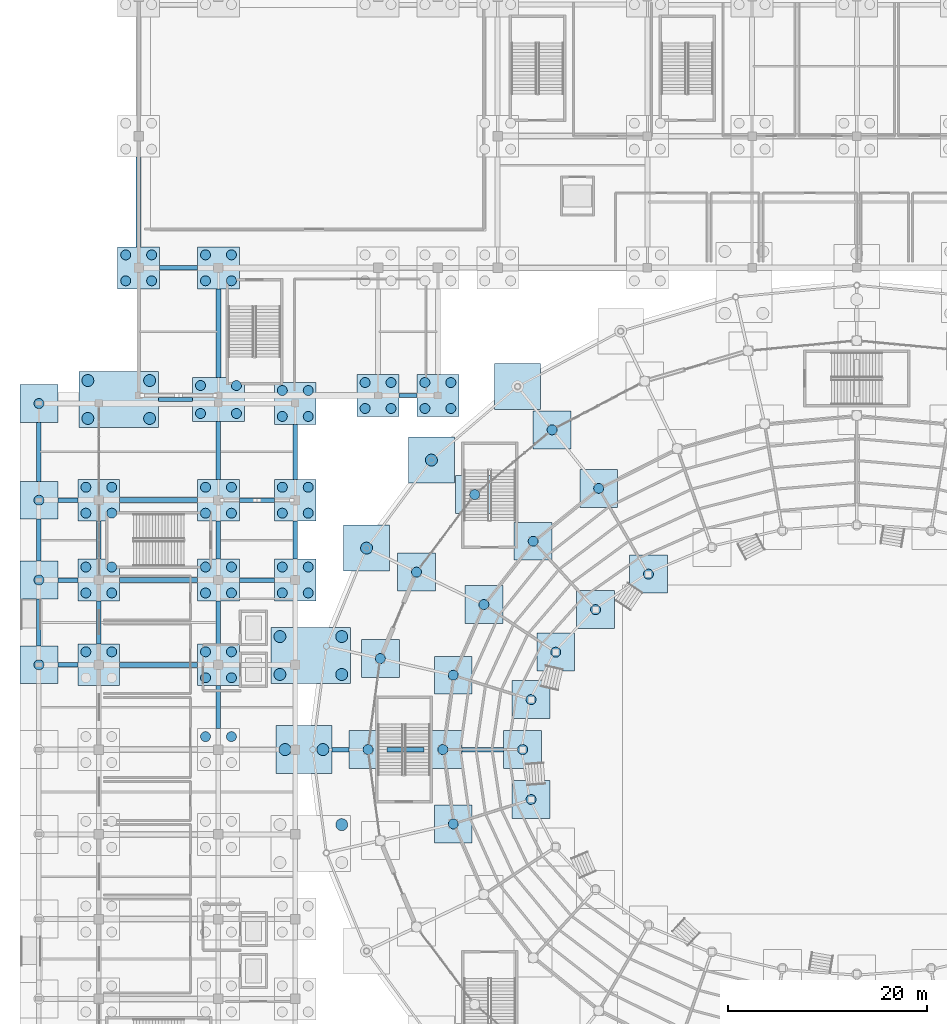
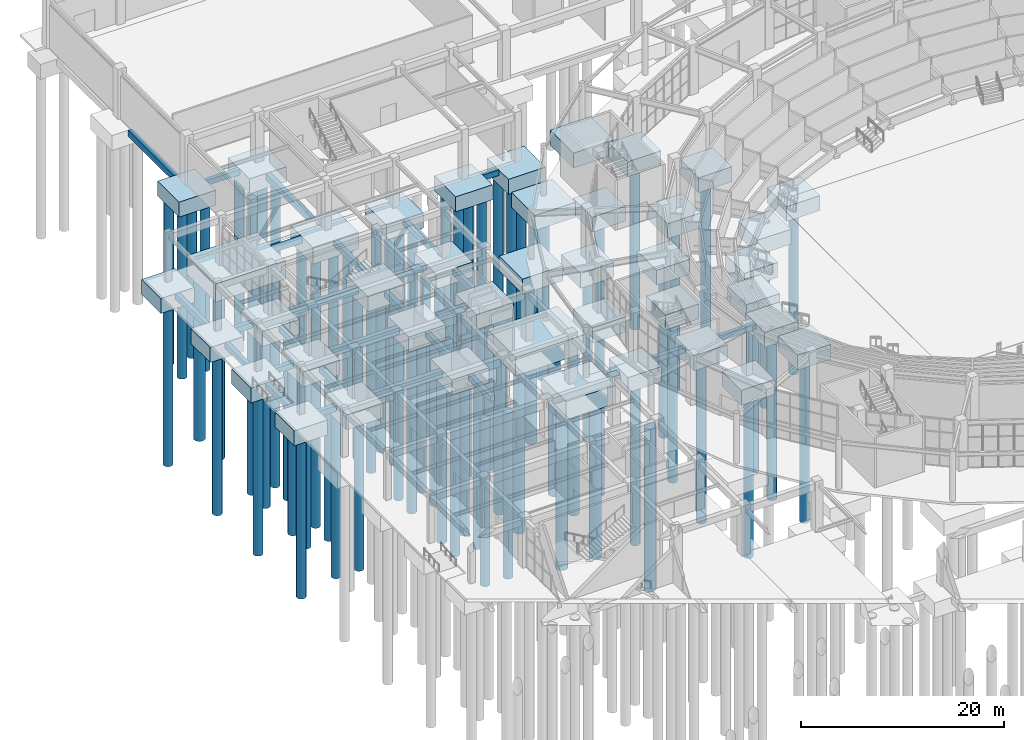
# One storey, part 4 of 121: 90 piles, 68 footings.
"""IFC4 building model written with IfcOpenShell, lengths in metres."""

from ifc_helpers import new_model, si_unit, direction, frame, origin, origin_2d, place, context, subcontext, project, spatial, rectangle, circle, extrude, material, material_profile, profile_set, type_object, element, save


model = new_model("IFC4")

# Units and contexts
model_context = context("Model", 3, precision=1e-05, world=origin(), true_north=direction((0.0, 1.0)))
body_context = subcontext(model_context, "Body", "Model", "MODEL_VIEW")
ifc_project = project(units=[si_unit("LENGTHUNIT", "METRE"), si_unit("AREAUNIT", "SQUARE_METRE"), si_unit("VOLUMEUNIT", "CUBIC_METRE"), si_unit("PLANEANGLEUNIT", "RADIAN"), si_unit("MASSUNIT", "GRAM", prefix="KILO")], contexts=[model_context])

# Site, building, storey
site_placement = place(None, origin())
site = spatial("IfcSite", under=ifc_project, at=site_placement, CompositionType="ELEMENT")
building_placement = place(site_placement, origin())
building = spatial("IfcBuilding", under=site, at=building_placement, Name="Cuetzalor Civic Arena", CompositionType="ELEMENT")
storey_placement = place(building_placement, origin())
storey = spatial("IfcBuildingStorey", under=building, at=storey_placement, Name="L00", CompositionType="ELEMENT", Elevation=0.0)

# Piles
ifc_material_1 = material(Name="Concrete C40/50", Category="concrete")
ifc_material_profile_1 = material_profile(ifc_material_1, circle(Radius=0.5, at=origin_2d()), Name="BORED PILE D1000")
ifc_profile_set_1 = profile_set([ifc_material_profile_1], Name="Concrete C40/50")
pile_type_1 = type_object("IfcPileType", Name="BoredPile_D1000", PredefinedType="BORED", material=ifc_profile_set_1)
for number, where, z_axis, x_axis, name in (
    (1, (-40.45947265625, -7.45458984375, -2.050048828125), (0.0, 0.0, -1.0), (1.0, 0.0, 0.0), "Bored Pile 0344"),
    (2, (-32.66015625, -5.006591796875, -2.050048828125), (0.0, 0.0, -1.0), (1.0, 0.0, 0.0), "Bored Pile 0346"),
    (3, (-65.300048828125, 1.300048828125, -2.050048828125), (0.0, 0.0, -1.0), (1.0, 0.0, 0.0), "Bored Pile 0354"),
    (4, (-62.699951171875, 1.300048828125, -2.050048828125), (0.0, 0.0, -1.0), (1.0, 0.0, 0.0), "Bored Pile 0356"),
    (5, (-49.0, 0.0, -2.050048828125), (0.0, 0.0, -1.0), (1.0, 0.0, 0.0), "Bored Pile 0359"),
    (6, (-41.5, 0.0, -2.050048828125), (0.0, 0.0, -1.0), (1.0, 0.0, 0.0), "Bored Pile 0360"),
    (7, (-33.5, 0.0, -2.050048828125), (0.0, 0.0, -1.0), (1.0, 0.0, 0.0), "Bored Pile 0361"),
    (8, (-32.66015625, 5.006591796875, -2.050048828125), (0.0, 0.0, -1.0), (1.0, 0.0, 0.0), "Bored Pile 0376"),
    (9, (-40.45947265625, 7.45458984375, -2.050048828125), (0.0, 0.0, -1.0), (1.0, 0.0, 0.0), "Bored Pile 0378"),
    (10, (-82.0, 8.5, -2.050048828125), (0.0, 0.0, -1.0), (1.0, 0.0, 0.0), "Bored Pile 0380"),
    (11, (-77.300048828125, 9.800048828125, -2.050048828125), (0.0, 0.0, -1.0), (1.0, 0.0, 0.0), "Bored Pile 0382"),
    (12, (-74.699951171875, 9.800048828125, -2.050048828125), (0.0, 0.0, -1.0), (1.0, 0.0, 0.0), "Bored Pile 0384"),
    (13, (-65.300048828125, 7.199951171875, -2.050048828125), (0.0, 0.0, -1.0), (1.0, 0.0, 0.0), "Bored Pile 0385"),
    (14, (-65.300048828125, 9.800048828125, -2.050048828125), (0.0, 0.0, -1.0), (1.0, 0.0, 0.0), "Bored Pile 0386"),
    (15, (-62.699951171875, 7.199951171875, -2.050048828125), (0.0, 0.0, -1.0), (1.0, 0.0, 0.0), "Bored Pile 0387"),
    (16, (-62.699951171875, 9.800048828125, -2.050048828125), (0.0, 0.0, -1.0), (1.0, 0.0, 0.0), "Bored Pile 0388"),
    (17, (-47.771484375, 9.123291015625, -2.050048828125), (0.0, 0.0, -1.0), (1.0, 0.0, 0.0), "Bored Pile 0398"),
    (18, (-30.1826171875, 9.762451171875, -2.050048828125), (0.0, 0.0, -1.0), (1.0, 0.0, 0.0), "Bored Pile 0400"),
    (19, (-26.19140625, 14.028564453125, -2.050048828125), (0.0, 0.0, -1.0), (1.0, 0.0, 0.0), "Bored Pile 0410"),
    (20, (-37.39013671875, 14.53515625, -2.050048828125), (0.0, 0.0, -1.0), (1.0, 0.0, 0.0), "Bored Pile 0412"),
    (21, (-82.0, 17.0, -2.050048828125), (0.0, 0.0, -1.0), (1.0, 0.0, 0.0), "Bored Pile 0414"),
    (22, (-77.300048828125, 15.699951171875, -2.050048828125), (0.0, 0.0, -1.0), (1.0, 0.0, 0.0), "Bored Pile 0415"),
    (23, (-77.300048828125, 18.300048828125, -2.050048828125), (0.0, 0.0, -1.0), (1.0, 0.0, 0.0), "Bored Pile 0416"),
    (24, (-74.699951171875, 15.699951171875, -2.050048828125), (0.0, 0.0, -1.0), (1.0, 0.0, 0.0), "Bored Pile 0417"),
    (25, (-74.699951171875, 18.300048828125, -2.050048828125), (0.0, 0.0, -1.0), (1.0, 0.0, 0.0), "Bored Pile 0418"),
    (26, (-65.300048828125, 15.699951171875, -2.050048828125), (0.0, 0.0, -1.0), (1.0, 0.0, 0.0), "Bored Pile 0419"),
    (27, (-65.300048828125, 18.300048828125, -2.050048828125), (0.0, 0.0, -1.0), (1.0, 0.0, 0.0), "Bored Pile 0420"),
    (28, (-62.699951171875, 15.699951171875, -2.050048828125), (0.0, 0.0, -1.0), (1.0, 0.0, 0.0), "Bored Pile 0421"),
    (29, (-62.699951171875, 18.300048828125, -2.050048828125), (0.0, 0.0, -1.0), (1.0, 0.0, 0.0), "Bored Pile 0422"),
    (30, (-57.60009765625, 15.699951171875, -2.050048828125), (0.0, 0.0, -1.0), (1.0, 0.0, 0.0), "Bored Pile 0423"),
    (31, (-57.60009765625, 18.300048828125, -2.050048828125), (0.0, 0.0, -1.0), (1.0, 0.0, 0.0), "Bored Pile 0424"),
    (32, (-55.0, 15.699951171875, -2.050048828125), (0.0, 0.0, -1.0), (1.0, 0.0, 0.0), "Bored Pile 0425"),
    (33, (-55.0, 18.300048828125, -2.050048828125), (0.0, 0.0, -1.0), (1.0, 0.0, 0.0), "Bored Pile 0426"),
    (34, (-20.886962890625, 17.59130859375, -2.050048828125), (0.0, 0.0, -1.0), (1.0, 0.0, 0.0), "Bored Pile 0440"),
    (35, (-44.1474609375, 17.789306640625, -2.050048828125), (0.0, 0.0, -1.0), (1.0, 0.0, 0.0), "Bored Pile 0442"),
    (36, (-32.446044921875, 20.886962890625, -2.050048828125), (0.0, 0.0, -1.0), (1.0, 0.0, 0.0), "Bored Pile 0448"),
    (37, (-82.0, 25.0, -2.050048828125), (0.0, 0.0, -1.0), (1.0, 0.0, 0.0), "Bored Pile 0453"),
    (38, (-77.300048828125, 23.699951171875, -2.050048828125), (0.0, 0.0, -1.0), (1.0, 0.0, 0.0), "Bored Pile 0454"),
    (39, (-77.300048828125, 26.300048828125, -2.050048828125), (0.0, 0.0, -1.0), (1.0, 0.0, 0.0), "Bored Pile 0455"),
    (40, (-74.699951171875, 23.699951171875, -2.050048828125), (0.0, 0.0, -1.0), (1.0, 0.0, 0.0), "Bored Pile 0456"),
    (41, (-74.699951171875, 26.300048828125, -2.050048828125), (0.0, 0.0, -1.0), (1.0, 0.0, 0.0), "Bored Pile 0457"),
    (42, (-65.300048828125, 23.699951171875, -2.050048828125), (0.0, 0.0, -1.0), (1.0, 0.0, 0.0), "Bored Pile 0458"),
    (43, (-65.300048828125, 26.300048828125, -2.050048828125), (0.0, 0.0, -1.0), (1.0, 0.0, 0.0), "Bored Pile 0459"),
    (44, (-62.699951171875, 23.699951171875, -2.050048828125), (0.0, 0.0, -1.0), (1.0, 0.0, 0.0), "Bored Pile 0460"),
    (45, (-62.699951171875, 26.300048828125, -2.050048828125), (0.0, 0.0, -1.0), (1.0, 0.0, 0.0), "Bored Pile 0461"),
    (46, (-57.60009765625, 23.699951171875, -2.050048828125), (0.0, 0.0, -1.0), (1.0, 0.0, 0.0), "Bored Pile 0462"),
    (47, (-57.60009765625, 26.300048828125, -2.050048828125), (0.0, 0.0, -1.0), (1.0, 0.0, 0.0), "Bored Pile 0463"),
    (48, (-55.0, 23.699951171875, -2.050048828125), (0.0, 0.0, -1.0), (1.0, 0.0, 0.0), "Bored Pile 0464"),
    (49, (-55.0, 26.300048828125, -2.050048828125), (0.0, 0.0, -1.0), (1.0, 0.0, 0.0), "Bored Pile 0465"),
    (50, (-38.309814453125, 25.56298828125, -2.050048828125), (0.0, 0.0, -1.0), (1.0, 0.0, 0.0), "Bored Pile 0479"),
    (51, (-25.874755859375, 26.19140625, -2.050048828125), (0.0, 0.0, -1.0), (1.0, 0.0, 0.0), "Bored Pile 0481"),
    (52, (-30.551025390625, 32.05517578125, -2.050048828125), (0.0, 0.0, -1.0), (1.0, 0.0, 0.0), "Bored Pile 0487"),
    (53, (-82.0, 34.699951171875, -2.050048828125), (0.0, 0.0, -1.0), (1.0, 0.0, 0.0), "Bored Pile 0492"),
):
    element("IfcPile", number, at=place(storey_placement, frame(where, z_axis=z_axis, x_axis=x_axis)), inside=storey, type_object=pile_type_1, Name=name, PredefinedType="BORED", context=body_context, shape_type="SweptSolid", body=[
        extrude(circle(Radius=0.5, at=origin_2d()), origin(), (0.0, 0.0, 1.0), 19.949951171875),
    ])
for number, where, z_axis, x_axis, name in (
    (54, (-65.800048828125, 33.699951171875, -2.25), (0.0, 0.0, -1.0), (1.0, 0.0, 0.0), "Bored Pile 0497"),
    (55, (-65.800048828125, 36.5, -2.25), (0.0, 0.0, -1.0), (1.0, 0.0, 0.0), "Bored Pile 0498"),
    (56, (-62.199951171875, 33.699951171875, -2.25), (0.0, 0.0, -1.0), (1.0, 0.0, 0.0), "Bored Pile 0499"),
    (57, (-62.199951171875, 36.5, -2.25), (0.0, 0.0, -1.0), (1.0, 0.0, 0.0), "Bored Pile 0500"),
):
    element("IfcPile", number, at=place(storey_placement, frame(where, z_axis=z_axis, x_axis=x_axis)), inside=storey, type_object=pile_type_1, Name=name, PredefinedType="BORED", context=body_context, shape_type="SweptSolid", body=[
        extrude(circle(Radius=0.5, at=origin_2d()), origin(), (0.0, 0.0, 1.0), 19.75),
    ])
for number, where, z_axis, x_axis, name in (
    (58, (-57.60009765625, 33.39990234375, -2.050048828125), (0.0, 0.0, -1.0), (1.0, 0.0, 0.0), "Bored Pile 0501"),
    (59, (-57.60009765625, 36.0, -2.050048828125), (0.0, 0.0, -1.0), (1.0, 0.0, 0.0), "Bored Pile 0502"),
    (60, (-55.0, 33.39990234375, -2.050048828125), (0.0, 0.0, -1.0), (1.0, 0.0, 0.0), "Bored Pile 0503"),
    (61, (-55.0, 36.0, -2.050048828125), (0.0, 0.0, -1.0), (1.0, 0.0, 0.0), "Bored Pile 0504"),
    (62, (-49.300048828125, 34.199951171875, -2.050048828125), (0.0, 0.0, -1.0), (1.0, 0.0, 0.0), "Bored Pile 0518"),
    (63, (-49.300048828125, 36.800048828125, -2.050048828125), (0.0, 0.0, -1.0), (1.0, 0.0, 0.0), "Bored Pile 0519"),
    (64, (-46.699951171875, 34.199951171875, -2.050048828125), (0.0, 0.0, -1.0), (1.0, 0.0, 0.0), "Bored Pile 0520"),
    (65, (-46.699951171875, 36.800048828125, -2.050048828125), (0.0, 0.0, -1.0), (1.0, 0.0, 0.0), "Bored Pile 0521"),
    (66, (-43.300048828125, 34.199951171875, -2.050048828125), (0.0, 0.0, -1.0), (1.0, 0.0, 0.0), "Bored Pile 0522"),
    (67, (-43.300048828125, 36.800048828125, -2.050048828125), (0.0, 0.0, -1.0), (1.0, 0.0, 0.0), "Bored Pile 0523"),
    (68, (-40.699951171875, 34.199951171875, -2.050048828125), (0.0, 0.0, -1.0), (1.0, 0.0, 0.0), "Bored Pile 0524"),
    (69, (-40.699951171875, 36.800048828125, -2.050048828125), (0.0, 0.0, -1.0), (1.0, 0.0, 0.0), "Bored Pile 0525"),
    (70, (-73.300048828125, 47.0, -2.050048828125), (0.0, 0.0, -1.0), (1.0, 0.0, 0.0), "Bored Pile 0553"),
    (71, (-73.300048828125, 49.60009765625, -2.050048828125), (0.0, 0.0, -1.0), (1.0, 0.0, 0.0), "Bored Pile 0554"),
    (72, (-70.699951171875, 47.0, -2.050048828125), (0.0, 0.0, -1.0), (1.0, 0.0, 0.0), "Bored Pile 0555"),
    (73, (-70.699951171875, 49.60009765625, -2.050048828125), (0.0, 0.0, -1.0), (1.0, 0.0, 0.0), "Bored Pile 0556"),
    (74, (-65.300048828125, 47.0, -2.050048828125), (0.0, 0.0, -1.0), (1.0, 0.0, 0.0), "Bored Pile 0557"),
    (75, (-65.300048828125, 49.60009765625, -2.050048828125), (0.0, 0.0, -1.0), (1.0, 0.0, 0.0), "Bored Pile 0558"),
    (76, (-62.699951171875, 47.0, -2.050048828125), (0.0, 0.0, -1.0), (1.0, 0.0, 0.0), "Bored Pile 0559"),
    (77, (-62.699951171875, 49.60009765625, -2.050048828125), (0.0, 0.0, -1.0), (1.0, 0.0, 0.0), "Bored Pile 0560"),
):
    element("IfcPile", number, at=place(storey_placement, frame(where, z_axis=z_axis, x_axis=x_axis)), inside=storey, type_object=pile_type_1, Name=name, PredefinedType="BORED", context=body_context, shape_type="SweptSolid", body=[
        extrude(circle(Radius=0.5, at=origin_2d()), origin(), (0.0, 0.0, 1.0), 19.949951171875),
    ])
ifc_material_2 = material(Name="Concrete C40/50", Category="concrete")
ifc_material_profile_2 = material_profile(ifc_material_2, circle(Radius=0.60009765625, at=origin_2d()), Name="BORED PILE D1200")
ifc_profile_set_2 = profile_set([ifc_material_profile_2], Name="Concrete C40/50")
pile_type_2 = type_object("IfcPileType", Name="BoredPile_D1200", PredefinedType="BORED", material=ifc_profile_set_2)
for number, where, z_axis, x_axis, name in (
    (78, (-51.64111328125, -7.529052734375, -2.449951171875), (0.0, 0.0, -1.0), (1.0, 0.0, 0.0), "Bored Pile 0317"),
    (79, (-57.324951171875, 0.0, -2.449951171875), (0.0, 0.0, -1.0), (1.0, 0.0, 0.0), "Bored Pile 0357"),
    (80, (-53.52490234375, 0.0, -2.449951171875), (0.0, 0.0, -1.0), (1.0, 0.0, 0.0), "Bored Pile 0358"),
    (81, (-57.841064453125, 7.529052734375, -2.449951171875), (0.0, 0.0, -1.0), (1.0, 0.0, 0.0), "Bored Pile 0402"),
    (82, (-57.841064453125, 11.3291015625, -2.449951171875), (0.0, 0.0, -1.0), (1.0, 0.0, 0.0), "Bored Pile 0403"),
    (83, (-51.64111328125, 7.529052734375, -2.449951171875), (0.0, 0.0, -1.0), (1.0, 0.0, 0.0), "Bored Pile 0404"),
    (84, (-51.64111328125, 11.3291015625, -2.449951171875), (0.0, 0.0, -1.0), (1.0, 0.0, 0.0), "Bored Pile 0405"),
):
    element("IfcPile", number, at=place(storey_placement, frame(where, z_axis=z_axis, x_axis=x_axis)), inside=storey, type_object=pile_type_2, Name=name, PredefinedType="BORED", context=body_context, shape_type="SweptSolid", body=[
        extrude(circle(Radius=0.60009765625, at=origin_2d()), origin(), (0.0, 0.0, 1.0), 19.550048828125),
    ])
for number, where, z_axis, x_axis, name in (
    (85, (-49.14794921875, 20.197265625, -2.050048828125), (0.0, 0.0, -1.0), (1.0, 0.0, 0.0), "Bored Pile 0444"),
    (86, (-42.64892578125, 29.0234375, -2.050048828125), (0.0, 0.0, -1.0), (1.0, 0.0, 0.0), "Bored Pile 0483"),
):
    element("IfcPile", number, at=place(storey_placement, frame(where, z_axis=z_axis, x_axis=x_axis)), inside=storey, type_object=pile_type_2, Name=name, PredefinedType="BORED", context=body_context, shape_type="SweptSolid", body=[
        extrude(circle(Radius=0.60009765625, at=origin_2d()), origin(), (0.0, 0.0, 1.0), 19.949951171875),
    ])
for number, where, z_axis, x_axis, name in (
    (87, (-77.10009765625, 33.199951171875, -2.449951171875), (0.0, 0.0, -1.0), (1.0, 0.0, 0.0), "Bored Pile 0493"),
    (88, (-77.10009765625, 37.0, -2.449951171875), (0.0, 0.0, -1.0), (1.0, 0.0, 0.0), "Bored Pile 0494"),
    (89, (-70.89990234375, 33.199951171875, -2.449951171875), (0.0, 0.0, -1.0), (1.0, 0.0, 0.0), "Bored Pile 0495"),
    (90, (-70.89990234375, 37.0, -2.449951171875), (0.0, 0.0, -1.0), (1.0, 0.0, 0.0), "Bored Pile 0496"),
):
    element("IfcPile", number, at=place(storey_placement, frame(where, z_axis=z_axis, x_axis=x_axis)), inside=storey, type_object=pile_type_2, Name=name, PredefinedType="BORED", context=body_context, shape_type="SweptSolid", body=[
        extrude(circle(Radius=0.60009765625, at=origin_2d()), origin(), (0.0, 0.0, 1.0), 19.550048828125),
    ])

# Footings
ifc_material_3 = material(Name="Concrete C40/50", Category="concrete")
footing_type_1 = type_object("IfcFootingType", Name="CombinedPileCap_A", PredefinedType="PILE_CAP", material=ifc_material_3)
for number, where, z_axis, x_axis, name in (
    (91, (-76.0, 8.5, -2.14990234375), (0.0, 0.0, 1.0), (1.0, 0.0, 0.0), "Combined Pile Cap 156"),
    (92, (-64.0, 8.5, -2.14990234375), (0.0, 0.0, 1.0), (1.0, 0.0, 0.0), "Combined Pile Cap 157"),
    (93, (-76.0, 17.0, -2.14990234375), (0.0, 0.0, 1.0), (1.0, 0.0, 0.0), "Combined Pile Cap 172"),
    (94, (-64.0, 17.0, -2.14990234375), (0.0, 0.0, 1.0), (1.0, 0.0, 0.0), "Combined Pile Cap 173"),
    (95, (-56.300048828125, 17.0, -2.14990234375), (0.0, 0.0, 1.0), (1.0, 0.0, 0.0), "Combined Pile Cap 174"),
    (96, (-76.0, 25.0, -2.14990234375), (0.0, 0.0, 1.0), (1.0, 0.0, 0.0), "Combined Pile Cap 193"),
    (97, (-64.0, 25.0, -2.14990234375), (0.0, 0.0, 1.0), (1.0, 0.0, 0.0), "Combined Pile Cap 194"),
    (98, (-56.300048828125, 25.0, -2.14990234375), (0.0, 0.0, 1.0), (1.0, 0.0, 0.0), "Combined Pile Cap 195"),
    (99, (-56.300048828125, 34.699951171875, -2.14990234375), (0.0, 0.0, 1.0), (1.0, 0.0, 0.0), "Combined Pile Cap 216"),
    (100, (-48.0, 35.5, -2.14990234375), (0.0, 0.0, 1.0), (1.0, 0.0, 0.0), "Combined Pile Cap 221"),
    (101, (-42.0, 35.5, -2.14990234375), (0.0, 0.0, 1.0), (1.0, 0.0, 0.0), "Combined Pile Cap 222"),
    (102, (-72.0, 48.300048828125, -2.14990234375), (0.0, 0.0, 1.0), (1.0, 0.0, 0.0), "Combined Pile Cap 237"),
    (103, (-64.0, 48.300048828125, -2.14990234375), (0.0, 0.0, 1.0), (1.0, 0.0, 0.0), "Combined Pile Cap 238"),
):
    element("IfcFooting", number, at=place(storey_placement, frame(where, z_axis=z_axis, x_axis=x_axis)), inside=storey, type_object=footing_type_1, Name=name, PredefinedType="PILE_CAP", context=body_context, shape_type="SweptSolid", body=[
        extrude(rectangle(XDim=4.199951171875, YDim=4.199951171875, at=origin_2d()), origin(), (0.0, 0.0, 1.0), 1.800048828125),
    ])
ifc_material_4 = material(Name="Concrete C40/50", Category="concrete")
footing_type_2 = type_object("IfcFootingType", Name="CombinedPileCap_B", PredefinedType="PILE_CAP", material=ifc_material_4)
for number, where, z_axis, x_axis, name in (
    (104, (-49.14794921875, 20.197265625, -2.14990234375), (0.0, 0.0, 1.0), (1.0, 0.0, 0.0), "Combined Pile Cap 183"),
    (105, (-42.64892578125, 29.0234375, -2.14990234375), (0.0, 0.0, 1.0), (1.0, 0.0, 0.0), "Combined Pile Cap 204"),
    (106, (-34.011474609375, 36.394287109375, -2.14990234375), (0.0, 0.0, 1.0), (1.0, 0.0, 0.0), "Combined Pile Cap 225"),
):
    element("IfcFooting", number, at=place(storey_placement, frame(where, z_axis=z_axis, x_axis=x_axis)), inside=storey, type_object=footing_type_2, Name=name, PredefinedType="PILE_CAP", context=body_context, shape_type="SweptSolid", body=[
        extrude(rectangle(XDim=4.60009765625, YDim=4.60009765625, at=origin_2d()), origin(), (0.0, 0.0, 1.0), 1.800048828125),
    ])
ifc_material_5 = material(Name="Concrete C40/50", Category="concrete")
footing_type_3 = type_object("IfcFootingType", Name="CombinedPileCap_C", PredefinedType="PILE_CAP", material=ifc_material_5)
footing_1_placement = place(storey_placement, frame((-64.0, 35.10009765625, -2.35009765625), z_axis=(0.0, 0.0, 1.0), x_axis=(1.0, 0.0, 0.0)))
element("IfcFooting", 107, at=footing_1_placement, inside=storey, type_object=footing_type_3, Name="Combined Pile Cap 215", PredefinedType="PILE_CAP", context=body_context, shape_type="SweptSolid", body=[
    extrude(rectangle(XDim=5.199951171875, YDim=4.39990234375, at=origin_2d()), origin(), (0.0, 0.0, 1.0), 2.0),
])
ifc_material_6 = material(Name="Concrete C40/50", Category="concrete")
footing_type_4 = type_object("IfcFootingType", Name="CombinedPileCap_D", PredefinedType="PILE_CAP", material=ifc_material_6)
footing_2_placement = place(storey_placement, frame((-55.425048828125, 0.0, -2.5498046875), z_axis=(0.0, 0.0, 1.0), x_axis=(1.0, 0.0, 0.0)))
element("IfcFooting", 108, at=footing_2_placement, inside=storey, type_object=footing_type_4, Name="Combined Pile Cap 140", PredefinedType="PILE_CAP", context=body_context, shape_type="SweptSolid", body=[
    extrude(rectangle(XDim=5.60009765625, YDim=4.800048828125, at=origin_2d()), origin(), (0.0, 0.0, 1.0), 2.199951171875),
])
ifc_material_7 = material(Name="Concrete C40/50", Category="concrete")
footing_type_5 = type_object("IfcFootingType", Name="CombinedPileCap_J", PredefinedType="PILE_CAP", material=ifc_material_7)
for number, where, z_axis, x_axis, name in (
    (109, (-54.7412109375, 9.42919921875, -2.5498046875), (0.0, 0.0, 1.0), (1.0, 0.0, 0.0), "Combined Pile Cap 165"),
    (110, (-74.0, 35.10009765625, -2.5498046875), (0.0, 0.0, 1.0), (1.0, 0.0, 0.0), "Combined Pile Cap 214"),
):
    element("IfcFooting", number, at=place(storey_placement, frame(where, z_axis=z_axis, x_axis=x_axis)), inside=storey, type_object=footing_type_5, Name=name, PredefinedType="PILE_CAP", context=body_context, shape_type="SweptSolid", body=[
        extrude(rectangle(XDim=8.0, YDim=5.60009765625, at=origin_2d()), origin(), (0.0, 0.0, 1.0), 2.199951171875),
    ])
ifc_material_8 = material(Name="Concrete C40/50", Category="concrete")
footing_type_6 = type_object("IfcFootingType", Name="CombinedPileCap_M", PredefinedType="PILE_CAP", material=ifc_material_8)
for number, where, z_axis, x_axis, name in (
    (111, (-40.45947265625, -7.45458984375, -2.14990234375), (0.0, 0.0, 1.0), (1.0, 0.0, 0.0), "Combined Pile Cap 133"),
    (112, (-32.66015625, -5.006591796875, -2.14990234375), (0.0, 0.0, 1.0), (1.0, 0.0, 0.0), "Combined Pile Cap 135"),
    (113, (-49.0, 0.0, -2.14990234375), (0.0, 0.0, 1.0), (1.0, 0.0, 0.0), "Combined Pile Cap 141"),
    (114, (-41.5, 0.0, -2.14990234375), (0.0, 0.0, 1.0), (1.0, 0.0, 0.0), "Combined Pile Cap 142"),
    (115, (-33.5, 0.0, -2.14990234375), (0.0, 0.0, 1.0), (1.0, 0.0, 0.0), "Combined Pile Cap 143"),
    (116, (-32.66015625, 5.006591796875, -2.14990234375), (0.0, 0.0, 1.0), (1.0, 0.0, 0.0), "Combined Pile Cap 151"),
    (117, (-40.45947265625, 7.45458984375, -2.14990234375), (0.0, 0.0, 1.0), (1.0, 0.0, 0.0), "Combined Pile Cap 153"),
    (118, (-82.0, 8.5, -2.14990234375), (0.0, 0.0, 1.0), (1.0, 0.0, 0.0), "Combined Pile Cap 155"),
    (119, (-47.771484375, 9.123291015625, -2.14990234375), (0.0, 0.0, 1.0), (1.0, 0.0, 0.0), "Combined Pile Cap 161"),
    (120, (-30.1826171875, 9.762451171875, -2.14990234375), (0.0, 0.0, 1.0), (1.0, 0.0, 0.0), "Combined Pile Cap 163"),
    (121, (-26.19140625, 14.028564453125, -2.14990234375), (0.0, 0.0, 1.0), (1.0, 0.0, 0.0), "Combined Pile Cap 167"),
    (122, (-37.39013671875, 14.53515625, -2.14990234375), (0.0, 0.0, 1.0), (1.0, 0.0, 0.0), "Combined Pile Cap 169"),
    (123, (-82.0, 17.0, -2.14990234375), (0.0, 0.0, 1.0), (1.0, 0.0, 0.0), "Combined Pile Cap 171"),
    (124, (-20.886962890625, 17.59130859375, -2.14990234375), (0.0, 0.0, 1.0), (1.0, 0.0, 0.0), "Combined Pile Cap 179"),
    (125, (-44.1474609375, 17.789306640625, -2.14990234375), (0.0, 0.0, 1.0), (1.0, 0.0, 0.0), "Combined Pile Cap 181"),
    (126, (-32.446044921875, 20.886962890625, -2.14990234375), (0.0, 0.0, 1.0), (1.0, 0.0, 0.0), "Combined Pile Cap 187"),
    (127, (-82.0, 25.0, -2.14990234375), (0.0, 0.0, 1.0), (1.0, 0.0, 0.0), "Combined Pile Cap 192"),
    (128, (-38.309814453125, 25.56298828125, -2.14990234375), (0.0, 0.0, 1.0), (1.0, 0.0, 0.0), "Combined Pile Cap 200"),
    (129, (-25.874755859375, 26.19140625, -2.14990234375), (0.0, 0.0, 1.0), (1.0, 0.0, 0.0), "Combined Pile Cap 202"),
    (130, (-30.551025390625, 32.05517578125, -2.14990234375), (0.0, 0.0, 1.0), (1.0, 0.0, 0.0), "Combined Pile Cap 208"),
    (131, (-82.0, 34.699951171875, -2.14990234375), (0.0, 0.0, 1.0), (1.0, 0.0, 0.0), "Combined Pile Cap 213"),
):
    element("IfcFooting", number, at=place(storey_placement, frame(where, z_axis=z_axis, x_axis=x_axis)), inside=storey, type_object=footing_type_6, Name=name, PredefinedType="PILE_CAP", context=body_context, shape_type="SweptSolid", body=[
        extrude(rectangle(XDim=3.800048828125, YDim=3.800048828125, at=origin_2d()), origin(), (0.0, 0.0, 1.0), 1.800048828125),
    ])
ifc_material_9 = material(Name="Concrete C40/50", Category="concrete")
ifc_material_profile_3 = material_profile(ifc_material_9, rectangle(XDim=0.449951171875, YDim=0.64990234375, at=origin_2d()), Name="RC 450x650")
ifc_profile_set_3 = profile_set([ifc_material_profile_3], Name="Concrete C40/50")
footing_type_7 = type_object("IfcFootingType", Name="GroundTieBeam_450x650", PredefinedType="FOOTING_BEAM", material=ifc_profile_set_3)
footing_3_placement = place(storey_placement, frame((-64.0, 2.10009765625, -0.675048828125), z_axis=(0.0, 1.0, 0.0), x_axis=(-1.0, 0.0, 0.0)))
element("IfcFooting", 132, at=footing_3_placement, inside=storey, type_object=footing_type_7, Name="Ground Tie Beam 150", PredefinedType="FOOTING_BEAM", context=body_context, shape_type="SweptSolid", body=[
    extrude(rectangle(XDim=0.449951171875, YDim=0.64990234375, at=origin_2d()), origin(), (0.0, 0.0, 1.0), 4.2998046875),
])
footing_4_placement = place(storey_placement, frame((-52.625, 0.0, -0.675048828125), z_axis=(1.0, 0.0, 0.0), x_axis=(0.0, 1.0, 0.0)))
element("IfcFooting", 133, at=footing_4_placement, inside=storey, type_object=footing_type_7, Name="Ground Tie Beam 151", PredefinedType="FOOTING_BEAM", context=body_context, shape_type="SweptSolid", body=[
    extrude(rectangle(XDim=0.449951171875, YDim=0.64990234375, at=origin_2d()), origin(), (0.0, 0.0, 1.0), 1.72509765625),
])
footing_5_placement = place(storey_placement, frame((-47.10009765625, 0.0, -0.675048828125), z_axis=(1.0, 0.0, 0.0), x_axis=(0.0, 1.0, 0.0)))
element("IfcFooting", 134, at=footing_5_placement, inside=storey, type_object=footing_type_7, Name="Ground Tie Beam 152", PredefinedType="FOOTING_BEAM", context=body_context, shape_type="SweptSolid", body=[
    extrude(rectangle(XDim=0.449951171875, YDim=0.64990234375, at=origin_2d()), origin(), (0.0, 0.0, 1.0), 3.7001953125),
])
footing_6_placement = place(storey_placement, frame((-39.60009765625, 0.0, -0.675048828125), z_axis=(1.0, 0.0, 0.0), x_axis=(0.0, 1.0, 0.0)))
element("IfcFooting", 135, at=footing_6_placement, inside=storey, type_object=footing_type_7, Name="Ground Tie Beam 153", PredefinedType="FOOTING_BEAM", context=body_context, shape_type="SweptSolid", body=[
    extrude(rectangle(XDim=0.449951171875, YDim=0.64990234375, at=origin_2d()), origin(), (0.0, 0.0, 1.0), 4.2001953125),
])
footing_7_placement = place(storey_placement, frame((-80.10009765625, 8.5, -0.675048828125), z_axis=(1.0, 0.0, 0.0), x_axis=(0.0, 1.0, 0.0)))
element("IfcFooting", 136, at=footing_7_placement, inside=storey, type_object=footing_type_7, Name="Ground Tie Beam 163", PredefinedType="FOOTING_BEAM", context=body_context, shape_type="SweptSolid", body=[
    extrude(rectangle(XDim=0.449951171875, YDim=0.64990234375, at=origin_2d()), origin(), (0.0, 0.0, 1.0), 2.0),
])
footing_8_placement = place(storey_placement, frame((-82.0, 10.39990234375, -0.675048828125), z_axis=(0.0, 1.0, 0.0), x_axis=(-1.0, 0.0, 0.0)))
element("IfcFooting", 137, at=footing_8_placement, inside=storey, type_object=footing_type_7, Name="Ground Tie Beam 164", PredefinedType="FOOTING_BEAM", context=body_context, shape_type="SweptSolid", body=[
    extrude(rectangle(XDim=0.449951171875, YDim=0.64990234375, at=origin_2d()), origin(), (0.0, 0.0, 1.0), 4.7001953125),
])
for number, where, z_axis, x_axis, name in (
    (138, (-76.0, 10.60009765625, -0.675048828125), (0.0, 1.0, 0.0), (-1.0, 0.0, 0.0), "Ground Tie Beam 166"),
    (139, (-64.0, 10.60009765625, -0.675048828125), (0.0, 1.0, 0.0), (-1.0, 0.0, 0.0), "Ground Tie Beam 167"),
):
    element("IfcFooting", number, at=place(storey_placement, frame(where, z_axis=z_axis, x_axis=x_axis)), inside=storey, type_object=footing_type_7, Name=name, PredefinedType="FOOTING_BEAM", context=body_context, shape_type="SweptSolid", body=[
        extrude(rectangle(XDim=0.449951171875, YDim=0.64990234375, at=origin_2d()), origin(), (0.0, 0.0, 1.0), 4.2998046875),
    ])
footing_9_placement = place(storey_placement, frame((-80.10009765625, 17.0, -0.675048828125), z_axis=(1.0, 0.0, 0.0), x_axis=(0.0, 1.0, 0.0)))
element("IfcFooting", 140, at=footing_9_placement, inside=storey, type_object=footing_type_7, Name="Ground Tie Beam 173", PredefinedType="FOOTING_BEAM", context=body_context, shape_type="SweptSolid", body=[
    extrude(rectangle(XDim=0.449951171875, YDim=0.64990234375, at=origin_2d()), origin(), (0.0, 0.0, 1.0), 2.0),
])
footing_10_placement = place(storey_placement, frame((-82.0, 18.89990234375, -0.675048828125), z_axis=(0.0, 1.0, 0.0), x_axis=(-1.0, 0.0, 0.0)))
element("IfcFooting", 141, at=footing_10_placement, inside=storey, type_object=footing_type_7, Name="Ground Tie Beam 174", PredefinedType="FOOTING_BEAM", context=body_context, shape_type="SweptSolid", body=[
    extrude(rectangle(XDim=0.449951171875, YDim=0.64990234375, at=origin_2d()), origin(), (0.0, 0.0, 1.0), 4.2001953125),
])
footing_11_placement = place(storey_placement, frame((-76.0, 19.10009765625, -0.675048828125), z_axis=(0.0, 1.0, 0.0), x_axis=(-1.0, 0.0, 0.0)))
element("IfcFooting", 142, at=footing_11_placement, inside=storey, type_object=footing_type_7, Name="Ground Tie Beam 176", PredefinedType="FOOTING_BEAM", context=body_context, shape_type="SweptSolid", body=[
    extrude(rectangle(XDim=0.449951171875, YDim=0.64990234375, at=origin_2d()), origin(), (0.0, 0.0, 1.0), 3.7998046875),
])
footing_12_placement = place(storey_placement, frame((-61.89990234375, 17.0, -0.675048828125), z_axis=(1.0, 0.0, 0.0), x_axis=(0.0, 1.0, 0.0)))
element("IfcFooting", 143, at=footing_12_placement, inside=storey, type_object=footing_type_7, Name="Ground Tie Beam 177", PredefinedType="FOOTING_BEAM", context=body_context, shape_type="SweptSolid", body=[
    extrude(rectangle(XDim=0.449951171875, YDim=0.64990234375, at=origin_2d()), origin(), (0.0, 0.0, 1.0), 3.5),
])
for number, where, z_axis, x_axis, name in (
    (144, (-64.0, 19.10009765625, -0.675048828125), (0.0, 1.0, 0.0), (-1.0, 0.0, 0.0), "Ground Tie Beam 178"),
    (145, (-56.300048828125, 19.10009765625, -0.675048828125), (0.0, 1.0, 0.0), (-1.0, 0.0, 0.0), "Ground Tie Beam 179"),
):
    element("IfcFooting", number, at=place(storey_placement, frame(where, z_axis=z_axis, x_axis=x_axis)), inside=storey, type_object=footing_type_7, Name=name, PredefinedType="FOOTING_BEAM", context=body_context, shape_type="SweptSolid", body=[
        extrude(rectangle(XDim=0.449951171875, YDim=0.64990234375, at=origin_2d()), origin(), (0.0, 0.0, 1.0), 3.7998046875),
    ])
footing_13_placement = place(storey_placement, frame((-80.10009765625, 25.0, -0.675048828125), z_axis=(1.0, 0.0, 0.0), x_axis=(0.0, 1.0, 0.0)))
element("IfcFooting", 146, at=footing_13_placement, inside=storey, type_object=footing_type_7, Name="Ground Tie Beam 188", PredefinedType="FOOTING_BEAM", context=body_context, shape_type="SweptSolid", body=[
    extrude(rectangle(XDim=0.449951171875, YDim=0.64990234375, at=origin_2d()), origin(), (0.0, 0.0, 1.0), 2.0),
])
footing_14_placement = place(storey_placement, frame((-82.0, 26.89990234375, -0.675048828125), z_axis=(0.0, 1.0, 0.0), x_axis=(-1.0, 0.0, 0.0)))
element("IfcFooting", 147, at=footing_14_placement, inside=storey, type_object=footing_type_7, Name="Ground Tie Beam 189", PredefinedType="FOOTING_BEAM", context=body_context, shape_type="SweptSolid", body=[
    extrude(rectangle(XDim=0.449951171875, YDim=0.64990234375, at=origin_2d()), origin(), (0.0, 0.0, 1.0), 5.900146484375),
])
footing_15_placement = place(storey_placement, frame((-61.89990234375, 25.0, -0.675048828125), z_axis=(1.0, 0.0, 0.0), x_axis=(0.0, 1.0, 0.0)))
element("IfcFooting", 148, at=footing_15_placement, inside=storey, type_object=footing_type_7, Name="Ground Tie Beam 191", PredefinedType="FOOTING_BEAM", context=body_context, shape_type="SweptSolid", body=[
    extrude(rectangle(XDim=0.449951171875, YDim=0.64990234375, at=origin_2d()), origin(), (0.0, 0.0, 1.0), 3.5),
])
footing_16_placement = place(storey_placement, frame((-64.0, 27.10009765625, -0.675048828125), z_axis=(0.0, 1.0, 0.0), x_axis=(-1.0, 0.0, 0.0)))
element("IfcFooting", 149, at=footing_16_placement, inside=storey, type_object=footing_type_7, Name="Ground Tie Beam 192", PredefinedType="FOOTING_BEAM", context=body_context, shape_type="SweptSolid", body=[
    extrude(rectangle(XDim=0.449951171875, YDim=0.64990234375, at=origin_2d()), origin(), (0.0, 0.0, 1.0), 5.7998046875),
])
footing_17_placement = place(storey_placement, frame((-56.300048828125, 27.10009765625, -0.675048828125), z_axis=(0.0, 1.0, 0.0), x_axis=(-1.0, 0.0, 0.0)))
element("IfcFooting", 150, at=footing_17_placement, inside=storey, type_object=footing_type_7, Name="Ground Tie Beam 193", PredefinedType="FOOTING_BEAM", context=body_context, shape_type="SweptSolid", body=[
    extrude(rectangle(XDim=0.449951171875, YDim=0.64990234375, at=origin_2d()), origin(), (0.0, 0.0, 1.0), 5.5),
])
footing_18_placement = place(storey_placement, frame((-70.0, 35.10009765625, -0.675048828125), z_axis=(1.0, 0.0, 0.0), x_axis=(0.0, 1.0, 0.0)))
element("IfcFooting", 151, at=footing_18_placement, inside=storey, type_object=footing_type_7, Name="Ground Tie Beam 201", PredefinedType="FOOTING_BEAM", context=body_context, shape_type="SweptSolid", body=[
    extrude(rectangle(XDim=0.449951171875, YDim=0.64990234375, at=origin_2d()), origin(), (0.0, 0.0, 1.0), 3.39990234375),
])
footing_19_placement = place(storey_placement, frame((-45.89990234375, 35.5, -0.675048828125), z_axis=(1.0, 0.0, 0.0), x_axis=(0.0, 1.0, 0.0)))
element("IfcFooting", 152, at=footing_19_placement, inside=storey, type_object=footing_type_7, Name="Ground Tie Beam 205", PredefinedType="FOOTING_BEAM", context=body_context, shape_type="SweptSolid", body=[
    extrude(rectangle(XDim=0.449951171875, YDim=0.64990234375, at=origin_2d()), origin(), (0.0, 0.0, 1.0), 1.7998046875),
])
footing_20_placement = place(storey_placement, frame((-69.89990234375, 48.300048828125, -0.675048828125), z_axis=(1.0, 0.0, 0.0), x_axis=(0.0, 1.0, 0.0)))
element("IfcFooting", 153, at=footing_20_placement, inside=storey, type_object=footing_type_7, Name="Ground Tie Beam 213", PredefinedType="FOOTING_BEAM", context=body_context, shape_type="SweptSolid", body=[
    extrude(rectangle(XDim=0.449951171875, YDim=0.64990234375, at=origin_2d()), origin(), (0.0, 0.0, 1.0), 3.7998046875),
])
ifc_material_10 = material(Name="Concrete C40/50", Category="concrete")
ifc_material_profile_4 = material_profile(ifc_material_10, rectangle(XDim=0.5, YDim=0.75, at=origin_2d()), Name="RC 500x750")
ifc_profile_set_4 = profile_set([ifc_material_profile_4], Name="Concrete C40/50")
footing_type_8 = type_object("IfcFootingType", Name="GroundTieBeam_500x750", PredefinedType="FOOTING_BEAM", material=ifc_profile_set_4)
for number, where, z_axis, x_axis, name in (
    (154, (-73.89990234375, 8.5, -0.72509765625), (1.0, 0.0, 0.0), (0.0, 1.0, 0.0), "Ground Tie Beam 165"),
    (155, (-73.89990234375, 17.0, -0.72509765625), (1.0, 0.0, 0.0), (0.0, 1.0, 0.0), "Ground Tie Beam 175"),
    (156, (-73.89990234375, 25.0, -0.72509765625), (1.0, 0.0, 0.0), (0.0, 1.0, 0.0), "Ground Tie Beam 190"),
):
    element("IfcFooting", number, at=place(storey_placement, frame(where, z_axis=z_axis, x_axis=x_axis)), inside=storey, type_object=footing_type_8, Name=name, PredefinedType="FOOTING_BEAM", context=body_context, shape_type="SweptSolid", body=[
        extrude(rectangle(XDim=0.5, YDim=0.75, at=origin_2d()), origin(), (0.0, 0.0, 1.0), 7.7998046875),
    ])
footing_21_placement = place(storey_placement, frame((-64.0, 37.300048828125, -0.72509765625), z_axis=(0.0, 1.0, 0.0), x_axis=(-1.0, 0.0, 0.0)))
element("IfcFooting", 157, at=footing_21_placement, inside=storey, type_object=footing_type_8, Name="Ground Tie Beam 202", PredefinedType="FOOTING_BEAM", context=body_context, shape_type="SweptSolid", body=[
    extrude(rectangle(XDim=0.5, YDim=0.75, at=origin_2d()), origin(), (0.0, 0.0, 1.0), 8.89990234375),
])
footing_22_placement = place(storey_placement, frame((-72.0, 50.39990234375, -0.72509765625), z_axis=(0.0, 1.0, 0.0), x_axis=(-1.0, 0.0, 0.0)))
element("IfcFooting", 158, at=footing_22_placement, inside=storey, type_object=footing_type_8, Name="Ground Tie Beam 214", PredefinedType="FOOTING_BEAM", context=body_context, shape_type="SweptSolid", body=[
    extrude(rectangle(XDim=0.5, YDim=0.75, at=origin_2d()), origin(), (0.0, 0.0, 1.0), 9.0),
])

save(model, "model.ifc")
